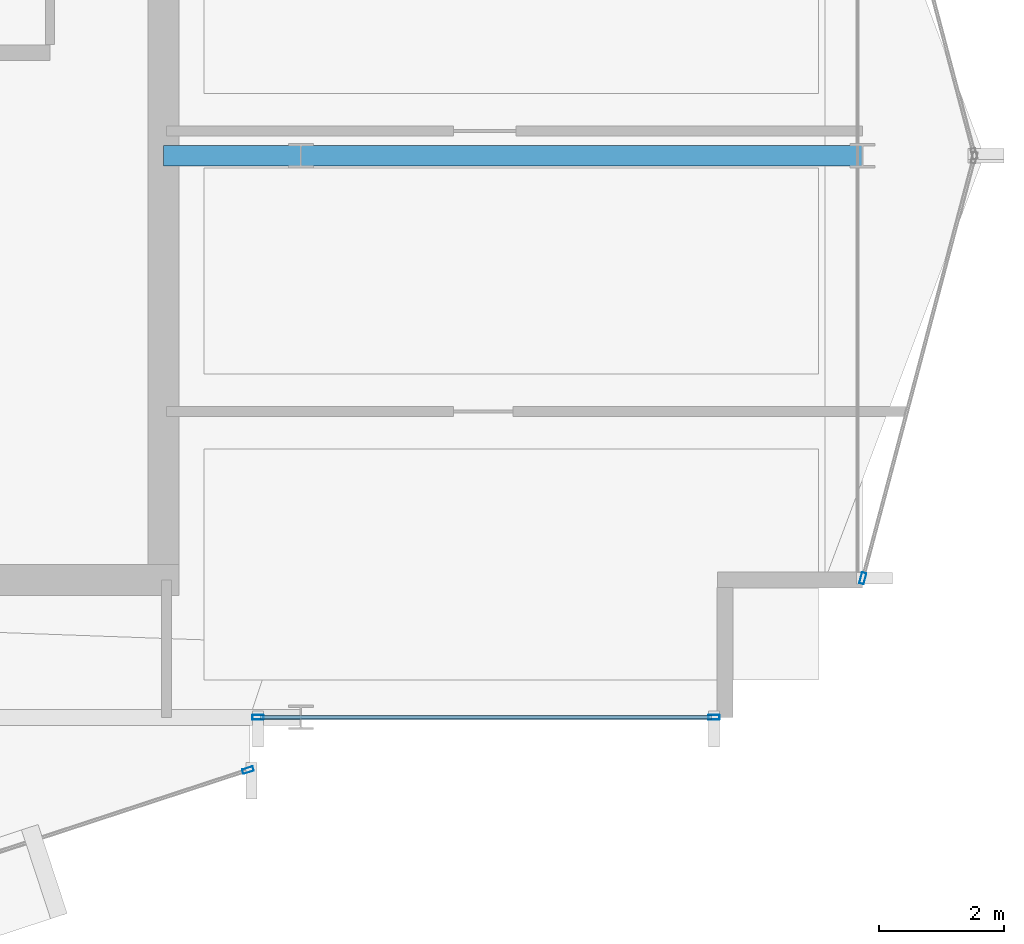
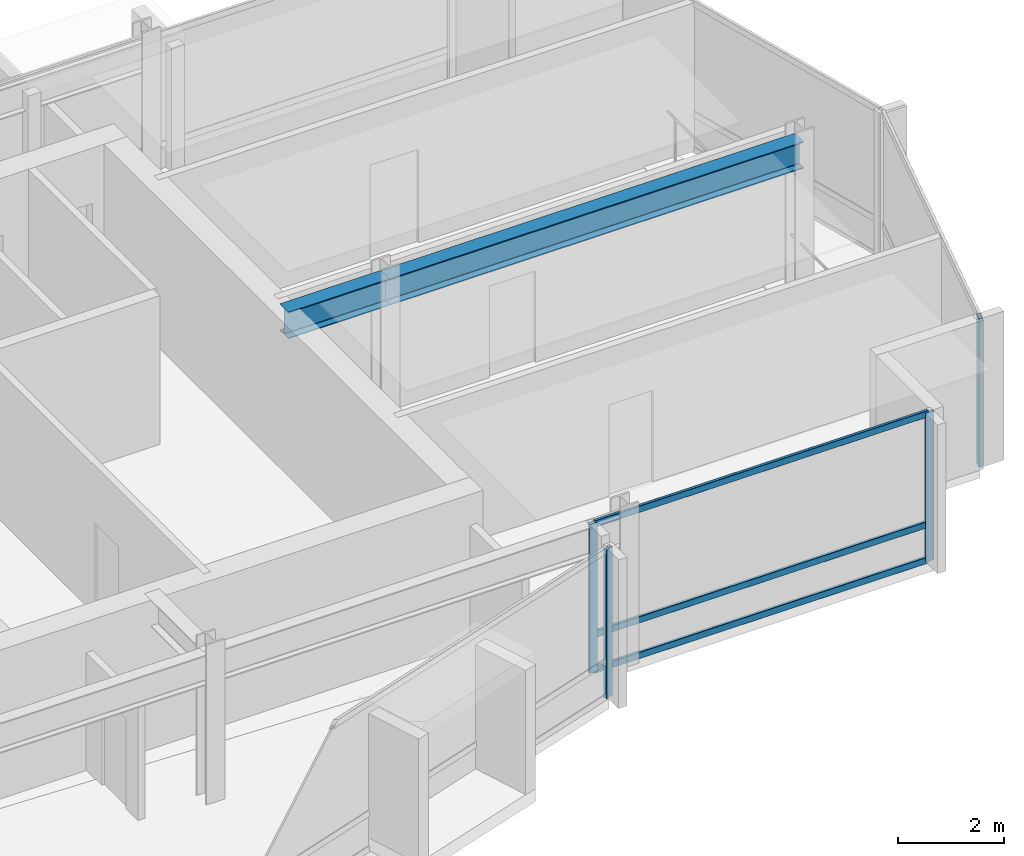
# One storey, part 10 of 28: 7 members, 2 beams, 3 elements without a shape of their own.
"""IFC4 building model written with IfcOpenShell, lengths in metres."""

from ifc_helpers import new_model, si_unit, direction, frame, origin, origin_2d, place, context, subcontext, project, spatial, hollow_rectangle, i_section, extrude, material, layer, layer_set, material_profile, profile_set, type_object, element, aggregate, save


model = new_model("IFC4")

# Units and contexts
model_context = context("Model", 3, precision=1e-05, world=origin(), true_north=direction((0.0, 1.0)))
body_context = subcontext(model_context, "Body", "Model", "MODEL_VIEW")
ifc_project = project(units=[si_unit("LENGTHUNIT", "METRE"), si_unit("AREAUNIT", "SQUARE_METRE"), si_unit("VOLUMEUNIT", "CUBIC_METRE"), si_unit("PLANEANGLEUNIT", "RADIAN"), si_unit("MASSUNIT", "GRAM", prefix="KILO")], contexts=[model_context])

# Site, building, storey
site_placement = place(None, origin())
site = spatial("IfcSite", under=ifc_project, at=site_placement, CompositionType="ELEMENT")
building_placement = place(site_placement, origin())
building = spatial("IfcBuilding", under=site, at=building_placement, Name="Solvaryn Broadcast Tower", CompositionType="ELEMENT")
storey_placement = place(building_placement, frame((0.0, 0.0, 217.300048828125)))
storey = spatial("IfcBuildingStorey", under=building, at=storey_placement, Name="L54", CompositionType="ELEMENT", Elevation=217.300048828125)

# Beams
ifc_material_1 = material(Name="Steel ASTM A992 Grade 50", Category="steel")
ifc_material_profile_1 = material_profile(ifc_material_1, i_section(OverallWidth=0.323974609375, OverallDepth=0.611083984375, WebThickness=0.0126953125, FlangeThickness=0.01904296875, FilletRadius=0.014892578125, at=origin_2d()))
ifc_profile_set_1 = profile_set([ifc_material_profile_1], Name="Steel ASTM A992 Grade 50")
beam_type = type_object("IfcBeamType", Name="BM-B1-W24X104", PredefinedType="BEAM", material=ifc_profile_set_1)
beam_1_placement = place(storey_placement, frame((45.0, 18.0, 3.114501953125), z_axis=(1.0, 0.0, 0.0), x_axis=(0.0, 1.0, 0.0)))
element("IfcBeam", 1, at=beam_1_placement, inside=storey, type_object=beam_type, Name="L54 Primary Beam X (45-54 @ Y=18)", PredefinedType="BEAM", context=body_context, shape_type="SweptSolid", body=[
    extrude(i_section(OverallWidth=0.323974609375, OverallDepth=0.611083984375, WebThickness=0.0126953125, FlangeThickness=0.01904296875, FilletRadius=0.014892578125, at=origin_2d()), origin(), (0.0, 0.0, 1.0), 9.0),
])
beam_2_placement = place(storey_placement, frame((42.800048828125, 18.0, 3.114501953125), z_axis=(1.0, 0.0, 0.0), x_axis=(0.0, 1.0, 0.0)))
element("IfcBeam", 2, at=beam_2_placement, inside=storey, type_object=beam_type, Name="L54 Core Tie Beam CTE3", PredefinedType="BEAM", context=body_context, shape_type="SweptSolid", body=[
    extrude(i_section(OverallWidth=0.323974609375, OverallDepth=0.611083984375, WebThickness=0.0126953125, FlangeThickness=0.01904296875, FilletRadius=0.014892578125, at=origin_2d()), origin(), (0.0, 0.0, 1.0), 2.199951171875),
])

# Curtain wall, member
ifc_material_2 = material(Name="Aluminium and Terracotta Unitised Curtain Wall", Category="masonry")
ifc_layer = layer(ifc_material_2, 0.199951171875)
ifc_layer_set = layer_set([ifc_layer], Name="CW-SYS2-LOWMID")
curtain_wall_type = type_object("IfcCurtainWallType", Name="CW-SYS2-LOWMID", PredefinedType="NOTDEFINED", material=ifc_layer_set)
curtain_wall_1_placement = place(storey_placement, origin())
curtain_wall_1 = element("IfcCurtainWall", 3, at=curtain_wall_1_placement, inside=storey, type_object=curtain_wall_type, Name="L54 Curtain Wall DR4", PredefinedType="NOTDEFINED")
ifc_material_3 = material(Name="Anodised Aluminium 6063-T6", Category="aluminium")
ifc_material_profile_2 = material_profile(ifc_material_3, hollow_rectangle(XDim=0.074951171875, YDim=0.179931640625, WallThickness=0.00390625, InnerFilletRadius=0.00390625, OuterFilletRadius=0.008056640625, at=origin_2d()))
ifc_profile_set_2 = profile_set([ifc_material_profile_2], Name="Anodised Aluminium 6063-T6")
member_type_1 = type_object("IfcMemberType", Name="CW-MUL-180", PredefinedType="MULLION", material=ifc_profile_set_2)
member_1_placement = place(storey_placement, frame((44.153564453125, 8.153564453125, 0.0), z_axis=(0.0, 0.0, 1.0), x_axis=(-0.311558717623, 0.950226902099, 0.0)))
member_1 = element("IfcMember", 4, at=member_1_placement, type_object=member_type_1, Name="CWS2 mullion 2", PredefinedType="MULLION", context=body_context, shape_type="SweptSolid", body=[
    extrude(hollow_rectangle(XDim=0.074951171875, YDim=0.179931640625, WallThickness=0.00390625, InnerFilletRadius=0.00390625, OuterFilletRadius=0.008056640625, at=origin_2d()), origin(), (0.0, 0.0, 1.0), 3.419921875),
])
aggregate(curtain_wall_1, [member_1])

# Curtain wall, members
curtain_wall_2_placement = place(storey_placement, origin())
curtain_wall_2 = element("IfcCurtainWall", 5, at=curtain_wall_2_placement, inside=storey, type_object=curtain_wall_type, Name="L54 Curtain Wall S2", PredefinedType="NOTDEFINED")
member_2_placement = place(storey_placement, frame((44.31201171875, 9.0, 0.0), z_axis=(0.0, 0.0, 1.0), x_axis=(0.0, 1.0, 0.0)))
member_2 = element("IfcMember", 6, at=member_2_placement, type_object=member_type_1, Name="CWS2 mullion 1", PredefinedType="MULLION", context=body_context, shape_type="SweptSolid", body=[
    extrude(hollow_rectangle(XDim=0.074951171875, YDim=0.179931640625, WallThickness=0.00390625, InnerFilletRadius=0.00390625, OuterFilletRadius=0.008056640625, at=origin_2d()), origin(), (0.0, 0.0, 1.0), 3.419921875),
])
member_3_placement = place(storey_placement, frame((51.6201171875, 9.0, 0.0), z_axis=(0.0, 0.0, 1.0), x_axis=(0.0, 1.0, 0.0)))
member_3 = element("IfcMember", 7, at=member_3_placement, type_object=member_type_1, Name="CWS2 mullion 2", PredefinedType="MULLION", context=body_context, shape_type="SweptSolid", body=[
    extrude(hollow_rectangle(XDim=0.074951171875, YDim=0.179931640625, WallThickness=0.00390625, InnerFilletRadius=0.00390625, OuterFilletRadius=0.008056640625, at=origin_2d()), origin(), (0.0, 0.0, 1.0), 3.419921875),
])

# Curtain wall, member
curtain_wall_3_placement = place(storey_placement, origin())
curtain_wall_3 = element("IfcCurtainWall", 8, at=curtain_wall_3_placement, inside=storey, type_object=curtain_wall_type, Name="L54 Curtain Wall ET2", PredefinedType="NOTDEFINED")
member_4_placement = place(storey_placement, frame((54.007568359375, 11.22900390625, 0.0), z_axis=(0.0, 0.0, 1.0), x_axis=(0.966705227863, -0.25589256031, 0.0)))
member_4 = element("IfcMember", 9, at=member_4_placement, type_object=member_type_1, Name="CWS2 mullion 2", PredefinedType="MULLION", context=body_context, shape_type="SweptSolid", body=[
    extrude(hollow_rectangle(XDim=0.074951171875, YDim=0.179931640625, WallThickness=0.00390625, InnerFilletRadius=0.00390625, OuterFilletRadius=0.008056640625, at=origin_2d()), origin(), (0.0, 0.0, 1.0), 3.419921875),
])
aggregate(curtain_wall_3, [member_4])

# Member
ifc_material_4 = material(Name="Anodised Aluminium 6063-T6", Category="aluminium")
ifc_material_profile_3 = material_profile(ifc_material_4, hollow_rectangle(XDim=0.06494140625, YDim=0.14990234375, WallThickness=0.00390625, InnerFilletRadius=0.00390625, OuterFilletRadius=0.008056640625, at=origin_2d()))
ifc_profile_set_3 = profile_set([ifc_material_profile_3], Name="Anodised Aluminium 6063-T6")
member_type_2 = type_object("IfcMemberType", Name="CW-TRN-150", PredefinedType="USERDEFINED", material=ifc_profile_set_3)
member_5_placement = place(storey_placement, frame((44.342041015625, 9.0, 0.030029296875), z_axis=(1.0, 0.0, 0.0), x_axis=(0.0, 1.0, 0.0)))
member_5 = element("IfcMember", 10, at=member_5_placement, type_object=member_type_2, Name="CWS2 transom 1.1", ObjectType="TRANSOM", PredefinedType="USERDEFINED", context=body_context, shape_type="SweptSolid", body=[
    extrude(hollow_rectangle(XDim=0.06494140625, YDim=0.14990234375, WallThickness=0.00390625, InnerFilletRadius=0.00390625, OuterFilletRadius=0.008056640625, at=origin_2d()), origin(), (0.0, 0.0, 1.0), 7.248046875),
])

member_6_placement = place(storey_placement, frame((44.342041015625, 9.0, 0.849853515625), z_axis=(1.0, 0.0, 0.0), x_axis=(0.0, 1.0, 0.0)))
member_6 = element("IfcMember", 11, at=member_6_placement, type_object=member_type_2, Name="CWS2 transom 1.2", ObjectType="TRANSOM", PredefinedType="USERDEFINED", context=body_context, shape_type="SweptSolid", body=[
    extrude(hollow_rectangle(XDim=0.06494140625, YDim=0.14990234375, WallThickness=0.00390625, InnerFilletRadius=0.00390625, OuterFilletRadius=0.008056640625, at=origin_2d()), origin(), (0.0, 0.0, 1.0), 7.248046875),
])

member_7_placement = place(storey_placement, frame((44.342041015625, 9.0, 3.389892578125), z_axis=(1.0, 0.0, 0.0), x_axis=(0.0, 1.0, 0.0)))
member_7 = element("IfcMember", 12, at=member_7_placement, type_object=member_type_2, Name="CWS2 transom 1.3", ObjectType="TRANSOM", PredefinedType="USERDEFINED", context=body_context, shape_type="SweptSolid", body=[
    extrude(hollow_rectangle(XDim=0.06494140625, YDim=0.14990234375, WallThickness=0.00390625, InnerFilletRadius=0.00390625, OuterFilletRadius=0.008056640625, at=origin_2d()), origin(), (0.0, 0.0, 1.0), 7.248046875),
])

aggregate(curtain_wall_2, [member_2, member_3, member_5, member_6, member_7])

save(model, "model.ifc")
